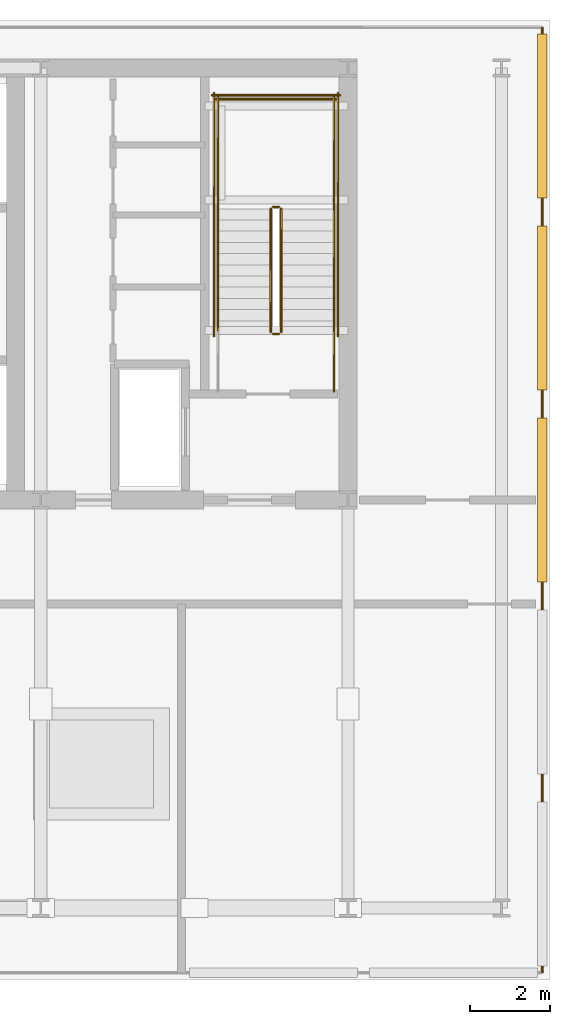
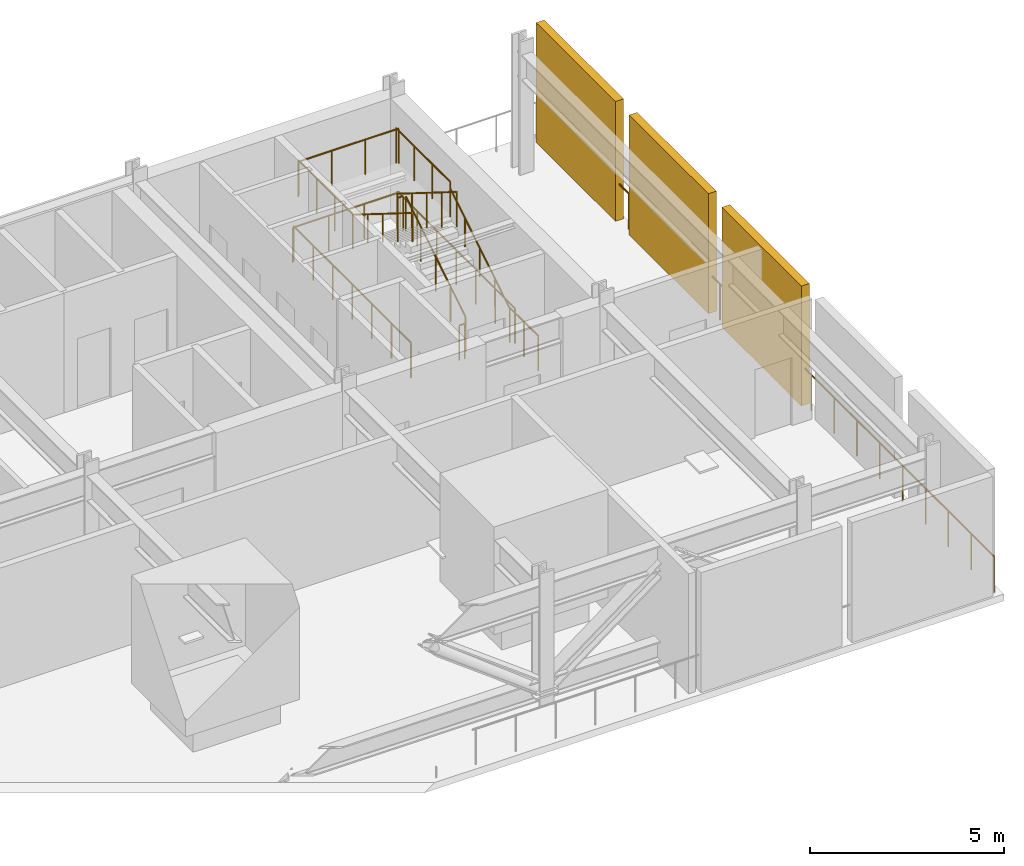
# One storey, part 8 of 8: 14 railings, 3 shading devices.
"""IFC4 building model written with IfcOpenShell, lengths in metres."""

from ifc_helpers import new_model, si_unit, direction, frame, origin, origin_2d, place, context, subcontext, project, spatial, rectangle, circle, extrude, material, layer, layer_set, type_object, element, save


model = new_model("IFC4")

# Units and contexts
model_context = context("Model", 3, precision=1e-05, world=origin(), true_north=direction((0.0, 1.0)))
body_context = subcontext(model_context, "Body", "Model", "MODEL_VIEW")
ifc_project = project(units=[si_unit("LENGTHUNIT", "METRE"), si_unit("AREAUNIT", "SQUARE_METRE"), si_unit("VOLUMEUNIT", "CUBIC_METRE"), si_unit("PLANEANGLEUNIT", "RADIAN"), si_unit("MASSUNIT", "GRAM", prefix="KILO")], contexts=[model_context])

# Site, building, storey
site_placement = place(None, origin())
site = spatial("IfcSite", under=ifc_project, at=site_placement, CompositionType="ELEMENT")
building_placement = place(site_placement, origin())
building = spatial("IfcBuilding", under=site, at=building_placement, Name="Yelkora Congress Tower", CompositionType="ELEMENT")
storey_placement = place(building_placement, frame((0.0, 0.0, 196.10009765625)))
storey = spatial("IfcBuildingStorey", under=building, at=storey_placement, Name="L54", CompositionType="ELEMENT", Elevation=196.10009765625)

# Railings
ifc_material_1 = material(Name="Stainless steel 316L and laminated glass infill", Category="steel")
ifc_layer_1 = layer(ifc_material_1, 0.080078125)
ifc_layer_set_1 = layer_set([ifc_layer_1], Name="Stainless steel 316L and laminated glass infill")
railing_type_1 = type_object("IfcRailingType", Name="RAIL-EXT-GUARD-1150", PredefinedType="GUARDRAIL", material=ifc_layer_set_1)
railing_1_placement = place(storey_placement, frame((58.6201171875, 23.60009765625, 0.0)))
element("IfcRailing", 1, at=railing_1_placement, inside=storey, type_object=railing_type_1, Name="L54 Wind-Floor Perimeter Guardrail E", PredefinedType="GUARDRAIL", context=body_context, shape_type="SweptSolid", body=[
    extrude(circle(Radius=0.02392578125, at=origin_2d()), frame((0.0, 0.0, 1.1259765625), z_axis=(0.0, 1.0, 0.0), x_axis=(-1.0, 0.0, 0.0)), (0.0, 0.0, 1.0), 23.599853515625),
    extrude(circle(Radius=0.02099609375, at=origin_2d()), origin(), (0.0, 0.0, 1.0), 1.101806640625),
    extrude(circle(Radius=0.02099609375, at=origin_2d()), frame((0.0, 1.179931640625, 0.0)), (0.0, 0.0, 1.0), 1.101806640625),
    extrude(circle(Radius=0.02099609375, at=origin_2d()), frame((0.0, 2.35986328125, 0.0)), (0.0, 0.0, 1.0), 1.101806640625),
    extrude(circle(Radius=0.02099609375, at=origin_2d()), frame((0.0, 3.5400390625, 0.0)), (0.0, 0.0, 1.0), 1.101806640625),
    extrude(circle(Radius=0.02099609375, at=origin_2d()), frame((0.0, 4.719970703125, 0.0)), (0.0, 0.0, 1.0), 1.101806640625),
    extrude(circle(Radius=0.02099609375, at=origin_2d()), frame((0.0, 5.89990234375, 0.0)), (0.0, 0.0, 1.0), 1.101806640625),
    extrude(circle(Radius=0.02099609375, at=origin_2d()), frame((0.0, 7.080078125, 0.0)), (0.0, 0.0, 1.0), 1.101806640625),
    extrude(circle(Radius=0.02099609375, at=origin_2d()), frame((0.0, 8.260009765625, 0.0)), (0.0, 0.0, 1.0), 1.101806640625),
    extrude(circle(Radius=0.02099609375, at=origin_2d()), frame((0.0, 9.43994140625, 0.0)), (0.0, 0.0, 1.0), 1.101806640625),
    extrude(circle(Radius=0.02099609375, at=origin_2d()), frame((0.0, 10.619873046875, 0.0)), (0.0, 0.0, 1.0), 1.101806640625),
    extrude(circle(Radius=0.02099609375, at=origin_2d()), frame((0.0, 11.7998046875, 0.0)), (0.0, 0.0, 1.0), 1.101806640625),
    extrude(circle(Radius=0.02099609375, at=origin_2d()), frame((0.0, 12.97998046875, 0.0)), (0.0, 0.0, 1.0), 1.101806640625),
    extrude(circle(Radius=0.02099609375, at=origin_2d()), frame((0.0, 14.159912109375, 0.0)), (0.0, 0.0, 1.0), 1.101806640625),
    extrude(circle(Radius=0.02099609375, at=origin_2d()), frame((0.0, 15.33984375, 0.0)), (0.0, 0.0, 1.0), 1.101806640625),
    extrude(circle(Radius=0.02099609375, at=origin_2d()), frame((0.0, 16.52001953125, 0.0)), (0.0, 0.0, 1.0), 1.101806640625),
    extrude(circle(Radius=0.02099609375, at=origin_2d()), frame((0.0, 17.699951171875, 0.0)), (0.0, 0.0, 1.0), 1.101806640625),
    extrude(circle(Radius=0.02099609375, at=origin_2d()), frame((0.0, 18.8798828125, 0.0)), (0.0, 0.0, 1.0), 1.101806640625),
    extrude(circle(Radius=0.02099609375, at=origin_2d()), frame((0.0, 20.059814453125, 0.0)), (0.0, 0.0, 1.0), 1.101806640625),
    extrude(circle(Radius=0.02099609375, at=origin_2d()), frame((0.0, 21.23974609375, 0.0)), (0.0, 0.0, 1.0), 1.101806640625),
    extrude(circle(Radius=0.02099609375, at=origin_2d()), frame((0.0, 22.419921875, 0.0)), (0.0, 0.0, 1.0), 1.101806640625),
    extrude(circle(Radius=0.02099609375, at=origin_2d()), frame((0.0, 23.599853515625, 0.0)), (0.0, 0.0, 1.0), 1.101806640625),
])
ifc_material_2 = material(Name="Painted galvanised steel stair well guard with vertical infill", Category="steel")
ifc_layer_2 = layer(ifc_material_2, 0.06005859375)
ifc_layer_set_2 = layer_set([ifc_layer_2], Name="Painted galvanised steel stair well guard with vertical infill")
railing_type_2 = type_object("IfcRailingType", Name="RAIL-STAIR-GUARD-1120", PredefinedType="GUARDRAIL", material=ifc_layer_set_2)
railing_2_placement = place(storey_placement, frame((52.090087890625, 39.60009765625, 0.1748046875)))
element("IfcRailing", 2, at=railing_2_placement, inside=storey, type_object=railing_type_2, Name="ST-02 L54 Stair Well Guardrail 1", PredefinedType="GUARDRAIL", context=body_context, shape_type="SweptSolid", body=[
    extrude(circle(Radius=0.02392578125, at=origin_2d()), frame((0.0, 0.0, 1.09619140625), z_axis=(0.0, 0.847979421464, 0.530029150871), x_axis=(-1.0, 0.0, 0.0)), (0.0, 0.0, 1.0), 3.632080078125),
    extrude(circle(Radius=0.02099609375, at=origin_2d()), origin(), (0.0, 0.0, 1.0), 1.072021484375),
    extrude(circle(Radius=0.02099609375, at=origin_2d()), frame((0.0, 0.77001953125, 0.481201171875)), (0.0, 0.0, 1.0), 1.072021484375),
    extrude(circle(Radius=0.02099609375, at=origin_2d()), frame((0.0, 1.5400390625, 0.96240234375)), (0.0, 0.0, 1.0), 1.072021484375),
    extrude(circle(Radius=0.02099609375, at=origin_2d()), frame((0.0, 2.309814453125, 1.44384765625)), (0.0, 0.0, 1.0), 1.072021484375),
    extrude(circle(Radius=0.02099609375, at=origin_2d()), frame((0.0, 3.079833984375, 1.925048828125)), (0.0, 0.0, 1.0), 1.072021484375),
])
railing_3_placement = place(storey_placement, frame((52.0400390625, 42.72998046875, 2.099853515625)))
element("IfcRailing", 3, at=railing_3_placement, inside=storey, type_object=railing_type_2, Name="ST-02 L54 Stair Well Guardrail 2", PredefinedType="GUARDRAIL", context=body_context, shape_type="SweptSolid", body=[
    extrude(circle(Radius=0.02392578125, at=origin_2d()), frame((0.0, 0.0, 1.09619140625), z_axis=(-1.0, 0.0, 0.0), x_axis=(0.0, -1.0, 0.0)), (0.0, 0.0, 1.0), 0.16015625),
    extrude(circle(Radius=0.02099609375, at=origin_2d()), origin(), (0.0, 0.0, 1.0), 1.072021484375),
    extrude(circle(Radius=0.02099609375, at=origin_2d()), frame((-0.16015625, 0.0, 0.0)), (0.0, 0.0, 1.0), 1.072021484375),
])
for number, where, name in (
    (4, (53.409912109375, 42.679931640625, 2.099853515625), "ST-02 L54 Stair Well Guardrail 3"),
    (5, (50.510009765625, 42.679931640625, 2.099853515625), "ST-02 L54 Stair Well Guardrail 4"),
):
    element("IfcRailing", number, at=place(storey_placement, frame(where)), inside=storey, type_object=railing_type_2, Name=name, PredefinedType="GUARDRAIL", context=body_context, shape_type="SweptSolid", body=[
        extrude(circle(Radius=0.02392578125, at=origin_2d()), frame((0.0, 0.0, 1.09619140625), z_axis=(0.0, 1.0, 0.0), x_axis=(-1.0, 0.0, 0.0)), (0.0, 0.0, 1.0), 2.7900390625),
        extrude(circle(Radius=0.02099609375, at=origin_2d()), origin(), (0.0, 0.0, 1.0), 1.072021484375),
        extrude(circle(Radius=0.02099609375, at=origin_2d()), frame((0.0, 0.929931640625, 0.0)), (0.0, 0.0, 1.0), 1.072021484375),
        extrude(circle(Radius=0.02099609375, at=origin_2d()), frame((0.0, 1.860107421875, 0.0)), (0.0, 0.0, 1.0), 1.072021484375),
        extrude(circle(Radius=0.02099609375, at=origin_2d()), frame((0.0, 2.7900390625, 0.0)), (0.0, 0.0, 1.0), 1.072021484375),
    ])
railing_4_placement = place(storey_placement, frame((53.4599609375, 45.419921875, 2.099853515625)))
element("IfcRailing", 6, at=railing_4_placement, inside=storey, type_object=railing_type_2, Name="ST-02 L54 Stair Well Guardrail 5", PredefinedType="GUARDRAIL", context=body_context, shape_type="SweptSolid", body=[
    extrude(circle(Radius=0.02392578125, at=origin_2d()), frame((0.0, 0.0, 1.09619140625), z_axis=(-1.0, 0.0, 0.0), x_axis=(0.0, -1.0, 0.0)), (0.0, 0.0, 1.0), 3.0),
    extrude(circle(Radius=0.02099609375, at=origin_2d()), origin(), (0.0, 0.0, 1.0), 1.072021484375),
    extrude(circle(Radius=0.02099609375, at=origin_2d()), frame((-1.0, 0.0, 0.0)), (0.0, 0.0, 1.0), 1.072021484375),
    extrude(circle(Radius=0.02099609375, at=origin_2d()), frame((-2.0, 0.0, 0.0)), (0.0, 0.0, 1.0), 1.072021484375),
    extrude(circle(Radius=0.02099609375, at=origin_2d()), frame((-3.0, 0.0, 0.0)), (0.0, 0.0, 1.0), 1.072021484375),
])
railing_5_placement = place(storey_placement, frame((51.830078125, 42.679931640625, 2.27490234375)))
element("IfcRailing", 7, at=railing_5_placement, inside=storey, type_object=railing_type_2, Name="ST-02 L54 Stair Well Guardrail 6", PredefinedType="GUARDRAIL", context=body_context, shape_type="SweptSolid", body=[
    extrude(circle(Radius=0.02392578125, at=origin_2d()), frame((0.0, 0.0, 1.09619140625), z_axis=(0.0, -0.847979421464, 0.530029150871), x_axis=(1.0, 0.0, 0.0)), (0.0, 0.0, 1.0), 3.632080078125),
    extrude(circle(Radius=0.02099609375, at=origin_2d()), origin(), (0.0, 0.0, 1.0), 1.072021484375),
    extrude(circle(Radius=0.02099609375, at=origin_2d()), frame((0.0, -0.77001953125, 0.481201171875)), (0.0, 0.0, 1.0), 1.072021484375),
    extrude(circle(Radius=0.02099609375, at=origin_2d()), frame((0.0, -1.5400390625, 0.96240234375)), (0.0, 0.0, 1.0), 1.072021484375),
    extrude(circle(Radius=0.02099609375, at=origin_2d()), frame((0.0, -2.309814453125, 1.44384765625)), (0.0, 0.0, 1.0), 1.072021484375),
    extrude(circle(Radius=0.02099609375, at=origin_2d()), frame((0.0, -3.079833984375, 1.925048828125)), (0.0, 0.0, 1.0), 1.072021484375),
])
railing_6_placement = place(storey_placement, frame((52.0400390625, 39.550048828125, 0.0)))
element("IfcRailing", 8, at=railing_6_placement, inside=storey, type_object=railing_type_2, Name="ST-02 L54 Stair Well Guardrail 7", PredefinedType="GUARDRAIL", context=body_context, shape_type="SweptSolid", body=[
    extrude(circle(Radius=0.02392578125, at=origin_2d()), frame((0.0, 0.0, 1.09619140625), z_axis=(-1.0, 0.0, 0.0), x_axis=(0.0, -1.0, 0.0)), (0.0, 0.0, 1.0), 0.16015625),
    extrude(circle(Radius=0.02099609375, at=origin_2d()), origin(), (0.0, 0.0, 1.0), 1.072021484375),
    extrude(circle(Radius=0.02099609375, at=origin_2d()), frame((-0.16015625, 0.0, 0.0)), (0.0, 0.0, 1.0), 1.072021484375),
])
railing_7_placement = place(storey_placement, frame((53.409912109375, 38.1201171875, 0.0)))
element("IfcRailing", 9, at=railing_7_placement, inside=storey, type_object=railing_type_2, Name="ST-02 L54 Stair Well Guardrail 8", PredefinedType="GUARDRAIL", context=body_context, shape_type="SweptSolid", body=[
    extrude(circle(Radius=0.02392578125, at=origin_2d()), frame((0.0, 0.0, 1.09619140625), z_axis=(0.0, 1.0, 0.0), x_axis=(-1.0, 0.0, 0.0)), (0.0, 0.0, 1.0), 1.47998046875),
    extrude(circle(Radius=0.02099609375, at=origin_2d()), origin(), (0.0, 0.0, 1.0), 1.072021484375),
    extrude(circle(Radius=0.02099609375, at=origin_2d()), frame((0.0, 0.739990234375, 0.0)), (0.0, 0.0, 1.0), 1.072021484375),
    extrude(circle(Radius=0.02099609375, at=origin_2d()), frame((0.0, 1.47998046875, 0.0)), (0.0, 0.0, 1.0), 1.072021484375),
])
for number, where, name in (
    (10, (53.510009765625, 39.5, 0.0), "ST-02 L54 Stair Well Guardrail 10"),
    (11, (50.409912109375, 39.5, 0.0), "ST-02 L54 Stair Well Guardrail 11"),
):
    element("IfcRailing", number, at=place(storey_placement, frame(where)), inside=storey, type_object=railing_type_2, Name=name, PredefinedType="GUARDRAIL", context=body_context, shape_type="SweptSolid", body=[
        extrude(circle(Radius=0.02392578125, at=origin_2d()), frame((0.0, 0.0, 1.09619140625), z_axis=(0.0, 1.0, 0.0), x_axis=(-1.0, 0.0, 0.0)), (0.0, 0.0, 1.0), 6.070068359375),
        extrude(circle(Radius=0.02099609375, at=origin_2d()), origin(), (0.0, 0.0, 1.0), 1.072021484375),
        extrude(circle(Radius=0.02099609375, at=origin_2d()), frame((0.0, 1.01171875, 0.0)), (0.0, 0.0, 1.0), 1.072021484375),
        extrude(circle(Radius=0.02099609375, at=origin_2d()), frame((0.0, 2.0234375, 0.0)), (0.0, 0.0, 1.0), 1.072021484375),
        extrude(circle(Radius=0.02099609375, at=origin_2d()), frame((0.0, 3.03515625, 0.0)), (0.0, 0.0, 1.0), 1.072021484375),
        extrude(circle(Radius=0.02099609375, at=origin_2d()), frame((0.0, 4.046630859375, 0.0)), (0.0, 0.0, 1.0), 1.072021484375),
        extrude(circle(Radius=0.02099609375, at=origin_2d()), frame((0.0, 5.058349609375, 0.0)), (0.0, 0.0, 1.0), 1.072021484375),
        extrude(circle(Radius=0.02099609375, at=origin_2d()), frame((0.0, 6.070068359375, 0.0)), (0.0, 0.0, 1.0), 1.072021484375),
    ])
railing_8_placement = place(storey_placement, frame((53.56005859375, 45.52001953125, 0.0)))
element("IfcRailing", 12, at=railing_8_placement, inside=storey, type_object=railing_type_2, Name="ST-02 L54 Stair Well Guardrail 12", PredefinedType="GUARDRAIL", context=body_context, shape_type="SweptSolid", body=[
    extrude(circle(Radius=0.02392578125, at=origin_2d()), frame((0.0, 0.0, 1.09619140625), z_axis=(-1.0, 0.0, 0.0), x_axis=(0.0, -1.0, 0.0)), (0.0, 0.0, 1.0), 3.199951171875),
    extrude(circle(Radius=0.02099609375, at=origin_2d()), origin(), (0.0, 0.0, 1.0), 1.072021484375),
    extrude(circle(Radius=0.02099609375, at=origin_2d()), frame((-1.066650390625, 0.0, 0.0)), (0.0, 0.0, 1.0), 1.072021484375),
    extrude(circle(Radius=0.02099609375, at=origin_2d()), frame((-2.13330078125, 0.0, 0.0)), (0.0, 0.0, 1.0), 1.072021484375),
    extrude(circle(Radius=0.02099609375, at=origin_2d()), frame((-3.199951171875, 0.0, 0.0)), (0.0, 0.0, 1.0), 1.072021484375),
])
ifc_material_3 = material(Name="Brushed stainless steel tubular handrail", Category="steel")
ifc_layer_3 = layer(ifc_material_3, 0.050048828125)
ifc_layer_set_3 = layer_set([ifc_layer_3], Name="Brushed stainless steel tubular handrail")
railing_type_3 = type_object("IfcRailingType", Name="RAIL-STAIR-HAND-920", PredefinedType="HANDRAIL", material=ifc_layer_set_3)
railing_9_placement = place(storey_placement, frame((53.409912109375, 39.60009765625, 0.1748046875)))
element("IfcRailing", 13, at=railing_9_placement, inside=storey, type_object=railing_type_3, Name="ST-02 L54 Pitch Handrail 1", PredefinedType="HANDRAIL", context=body_context, shape_type="SweptSolid", body=[
    extrude(circle(Radius=0.02392578125, at=origin_2d()), frame((0.0, 0.0, 0.89599609375), z_axis=(0.0, 0.847979421464, 0.530029150871), x_axis=(-1.0, 0.0, 0.0)), (0.0, 0.0, 1.0), 3.632080078125),
    extrude(circle(Radius=0.02099609375, at=origin_2d()), origin(), (0.0, 0.0, 1.0), 0.871826171875),
    extrude(circle(Radius=0.02099609375, at=origin_2d()), frame((0.0, 0.77001953125, 0.481201171875)), (0.0, 0.0, 1.0), 0.871826171875),
    extrude(circle(Radius=0.02099609375, at=origin_2d()), frame((0.0, 1.5400390625, 0.96240234375)), (0.0, 0.0, 1.0), 0.871826171875),
    extrude(circle(Radius=0.02099609375, at=origin_2d()), frame((0.0, 2.309814453125, 1.44384765625)), (0.0, 0.0, 1.0), 0.871826171875),
    extrude(circle(Radius=0.02099609375, at=origin_2d()), frame((0.0, 3.079833984375, 1.925048828125)), (0.0, 0.0, 1.0), 0.871826171875),
])
railing_10_placement = place(storey_placement, frame((50.510009765625, 42.679931640625, 2.27490234375)))
element("IfcRailing", 14, at=railing_10_placement, inside=storey, type_object=railing_type_3, Name="ST-02 L54 Pitch Handrail 2", PredefinedType="HANDRAIL", context=body_context, shape_type="SweptSolid", body=[
    extrude(circle(Radius=0.02392578125, at=origin_2d()), frame((0.0, 0.0, 0.89599609375), z_axis=(0.0, -0.847979421464, 0.530029150871), x_axis=(1.0, 0.0, 0.0)), (0.0, 0.0, 1.0), 3.632080078125),
    extrude(circle(Radius=0.02099609375, at=origin_2d()), origin(), (0.0, 0.0, 1.0), 0.871826171875),
    extrude(circle(Radius=0.02099609375, at=origin_2d()), frame((0.0, -0.77001953125, 0.481201171875)), (0.0, 0.0, 1.0), 0.871826171875),
    extrude(circle(Radius=0.02099609375, at=origin_2d()), frame((0.0, -1.5400390625, 0.96240234375)), (0.0, 0.0, 1.0), 0.871826171875),
    extrude(circle(Radius=0.02099609375, at=origin_2d()), frame((0.0, -2.309814453125, 1.44384765625)), (0.0, 0.0, 1.0), 0.871826171875),
    extrude(circle(Radius=0.02099609375, at=origin_2d()), frame((0.0, -3.079833984375, 1.925048828125)), (0.0, 0.0, 1.0), 0.871826171875),
])

# Shading devices
ifc_material_4 = material(Name="Perforated anodised aluminium louvre", Category="aluminium")
ifc_layer_4 = layer(ifc_material_4, 3.39990234375)
ifc_layer_set_4 = layer_set([ifc_layer_4], Name="Perforated anodised aluminium louvre")
shading_device_type = type_object("IfcShadingDeviceType", Name="SHD-LOUVRE-WIND", PredefinedType="JALOUSIE", material=ifc_layer_set_4)
for number, where, z_axis, x_axis, name in (
    (15, (58.6201171875, 35.39990234375, 0.0), (0.0, 0.0, 1.0), (1.0, 0.0, 0.0), "L54 Acoustic Wind-Floor Louvre Screen E3"),
    (16, (58.6201171875, 40.199951171875, 0.0), (0.0, 0.0, 1.0), (1.0, 0.0, 0.0), "L54 Acoustic Wind-Floor Louvre Screen E4"),
    (17, (58.6201171875, 45.0, 0.0), (0.0, 0.0, 1.0), (1.0, 0.0, 0.0), "L54 Acoustic Wind-Floor Louvre Screen E5"),
):
    element("IfcShadingDevice", number, at=place(storey_placement, frame(where, z_axis=z_axis, x_axis=x_axis)), inside=storey, type_object=shading_device_type, Name=name, PredefinedType="JALOUSIE", context=body_context, shape_type="SweptSolid", body=[
        extrude(rectangle(XDim=0.239990234375, YDim=4.10009765625, at=origin_2d()), origin(), (0.0, 0.0, 1.0), 3.780029296875),
    ])

save(model, "model.ifc")
